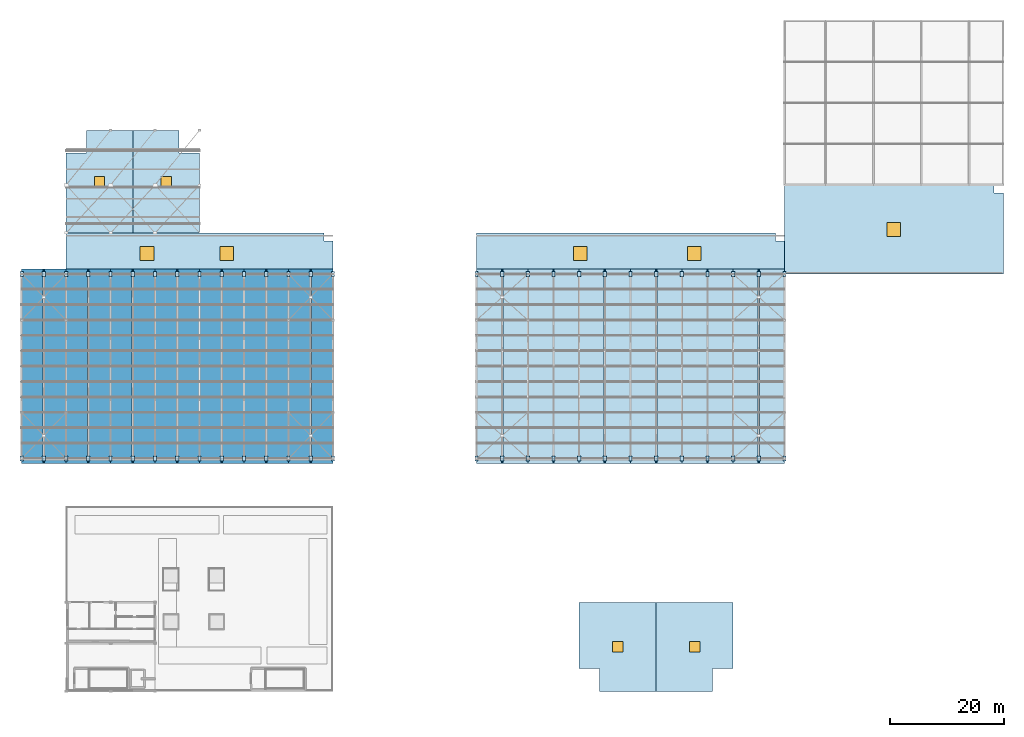
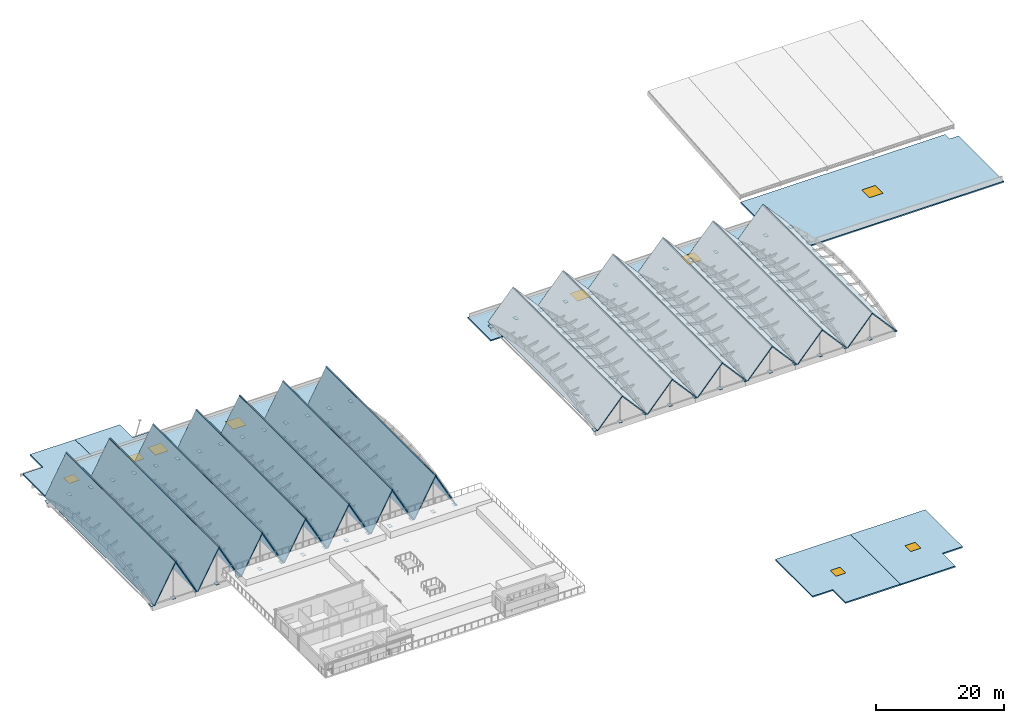
# One storey, part 29 of 39: 56 plates, 33 slabs, 9 windows, 9 openings.
"""IFC4 building model written with IfcOpenShell, lengths in metres."""

from ifc_helpers import new_model, si_unit, direction, frame, origin, origin_2d, place, context, subcontext, project, spatial, polyline, rectangle, outline, extrude, material, layer, layer_set, type_object, element, fill, save


model = new_model("IFC4")

# Units and contexts
model_context = context("Model", 3, precision=1e-05, world=origin(), true_north=direction((0.0, 1.0)))
body_context = subcontext(model_context, "Body", "Model", "MODEL_VIEW")
ifc_project = project(units=[si_unit("LENGTHUNIT", "METRE"), si_unit("AREAUNIT", "SQUARE_METRE"), si_unit("VOLUMEUNIT", "CUBIC_METRE"), si_unit("PLANEANGLEUNIT", "RADIAN"), si_unit("MASSUNIT", "GRAM", prefix="KILO")], contexts=[model_context])

# Site, building, storey
site_placement = place(None, origin())
site = spatial("IfcSite", under=ifc_project, at=site_placement, CompositionType="ELEMENT")
building_placement = place(site_placement, origin())
building = spatial("IfcBuilding", under=site, at=building_placement, Name="Tizgana Railside Sports Hall", CompositionType="ELEMENT")
storey_placement = place(building_placement, frame((0.0, 0.0, 23.699951171875)))
storey = spatial("IfcBuildingStorey", under=building, at=storey_placement, Name="RF", CompositionType="ELEMENT", Elevation=23.699951171875)

# Slab, openings, windows
ifc_material_1 = material(Name="Concrete C35/45", Category="concrete")
ifc_layer_1 = layer(ifc_material_1, 0.239990234375, Name="Concrete C35/45")
ifc_layer_set_1 = layer_set([ifc_layer_1], Name="Concrete C35/45")
slab_type_1 = type_object("IfcSlabType", Name="Flat Pavilion Roof Deck 240", PredefinedType="ROOF", material=ifc_layer_set_1)
slab_1_placement = place(storey_placement, frame((0.0, 0.0, -8.33984375)))
slab_1 = element("IfcSlab", 1, at=slab_1_placement, inside=storey, type_object=slab_type_1, Name="RF V1 North Support Flat Roof SLB-0042", PredefinedType="ROOF", context=body_context, shape_type="SweptSolid", body=[
    extrude(outline(polyline([(7.800048828125, 73.199951171875), (54.60009765625, 73.199951171875), (54.60009765625, 79.0), (53.0, 79.0), (53.0, 80.39990234375), (7.800048828125, 80.39990234375), (7.800048828125, 73.199951171875)]), holes=[polyline([(20.800048828125, 75.60009765625), (23.199951171875, 75.60009765625), (23.199951171875, 78.0), (20.800048828125, 78.0), (20.800048828125, 75.60009765625)]), polyline([(34.800048828125, 75.60009765625), (37.199951171875, 75.60009765625), (37.199951171875, 78.0), (34.800048828125, 78.0), (34.800048828125, 75.60009765625)])]), origin(), (0.0, 0.0, 1.0), 0.239990234375),
])
opening_1_placement = place(slab_1_placement, frame((22.0, 76.800048828125, 0.0)))
opening_1 = element("IfcOpeningElement", 2, at=opening_1_placement, cuts=slab_1, Name="Opening W-0104", PredefinedType="OPENING", context=body_context, shape_type="SweptSolid", body=[
    extrude(rectangle(XDim=2.39990234375, YDim=2.39990234375, at=origin_2d()), origin(), (0.0, 0.0, 1.0), 0.239990234375),
])
opening_2_placement = place(slab_1_placement, frame((36.0, 76.800048828125, 0.0)))
opening_2 = element("IfcOpeningElement", 3, at=opening_2_placement, cuts=slab_1, Name="Opening W-0105", PredefinedType="OPENING", context=body_context, shape_type="SweptSolid", body=[
    extrude(rectangle(XDim=2.39990234375, YDim=2.39990234375, at=origin_2d()), origin(), (0.0, 0.0, 1.0), 0.239990234375),
])
ifc_material_2 = material(Name="Double low-E laminated glass", Category="glass")
window_type_1 = type_object("IfcWindowType", Name="Automated Smoke Skylight 2400x2400", PartitioningType="SINGLE_PANEL", PredefinedType="SKYLIGHT", material=ifc_material_2)
window_1_placement = place(opening_1_placement, frame((0.0, 0.0, 0.18994140625)))
window_1 = element("IfcWindow", 4, at=window_1_placement, inside=storey, type_object=window_type_1, Name="RF Smoke Skylight W-0104", OverallHeight=2.39990234375, OverallWidth=2.39990234375, PartitioningType="SINGLE_PANEL", PredefinedType="SKYLIGHT", context=body_context, shape_type="SweptSolid", body=[
    extrude(rectangle(XDim=2.39990234375, YDim=2.39990234375, at=origin_2d()), origin(), (0.0, 0.0, 1.0), 0.050048828125),
])
fill(opening_1, window_1)
window_2_placement = place(opening_2_placement, frame((0.0, 0.0, 0.18994140625)))
window_2 = element("IfcWindow", 5, at=window_2_placement, inside=storey, type_object=window_type_1, Name="RF Smoke Skylight W-0105", OverallHeight=2.39990234375, OverallWidth=2.39990234375, PartitioningType="SINGLE_PANEL", PredefinedType="SKYLIGHT", context=body_context, shape_type="SweptSolid", body=[
    extrude(rectangle(XDim=2.39990234375, YDim=2.39990234375, at=origin_2d()), origin(), (0.0, 0.0, 1.0), 0.050048828125),
])
fill(opening_2, window_2)

slab_2_placement = place(storey_placement, frame((0.0, 0.0, -5.639892578125)))
slab_2 = element("IfcSlab", 6, at=slab_2_placement, inside=storey, type_object=slab_type_1, Name="RF V2 North Support Flat Roof SLB-0043", PredefinedType="ROOF", context=body_context, shape_type="SweptSolid", body=[
    extrude(outline(polyline([(79.800048828125, 73.199951171875), (133.800048828125, 73.199951171875), (133.800048828125, 79.0), (132.199951171875, 79.0), (132.199951171875, 80.39990234375), (79.800048828125, 80.39990234375), (79.800048828125, 73.199951171875)]), holes=[polyline([(96.800048828125, 75.60009765625), (99.199951171875, 75.60009765625), (99.199951171875, 78.0), (96.800048828125, 78.0), (96.800048828125, 75.60009765625)]), polyline([(116.800048828125, 75.60009765625), (119.199951171875, 75.60009765625), (119.199951171875, 78.0), (116.800048828125, 78.0), (116.800048828125, 75.60009765625)])]), origin(), (0.0, 0.0, 1.0), 0.239990234375),
])
opening_3_placement = place(slab_2_placement, frame((98.0, 76.800048828125, 0.0)))
opening_3 = element("IfcOpeningElement", 7, at=opening_3_placement, cuts=slab_2, Name="Opening W-0106", PredefinedType="OPENING", context=body_context, shape_type="SweptSolid", body=[
    extrude(rectangle(XDim=2.39990234375, YDim=2.39990234375, at=origin_2d()), origin(), (0.0, 0.0, 1.0), 0.239990234375),
])
opening_4_placement = place(slab_2_placement, frame((118.0, 76.800048828125, 0.0)))
opening_4 = element("IfcOpeningElement", 8, at=opening_4_placement, cuts=slab_2, Name="Opening W-0107", PredefinedType="OPENING", context=body_context, shape_type="SweptSolid", body=[
    extrude(rectangle(XDim=2.39990234375, YDim=2.39990234375, at=origin_2d()), origin(), (0.0, 0.0, 1.0), 0.239990234375),
])
window_3_placement = place(opening_3_placement, frame((0.0, 0.0, 0.18994140625)))
window_3 = element("IfcWindow", 9, at=window_3_placement, inside=storey, type_object=window_type_1, Name="RF Smoke Skylight W-0106", OverallHeight=2.39990234375, OverallWidth=2.39990234375, PartitioningType="SINGLE_PANEL", PredefinedType="SKYLIGHT", context=body_context, shape_type="SweptSolid", body=[
    extrude(rectangle(XDim=2.39990234375, YDim=2.39990234375, at=origin_2d()), origin(), (0.0, 0.0, 1.0), 0.050048828125),
])
fill(opening_3, window_3)
window_4_placement = place(opening_4_placement, frame((0.0, 0.0, 0.18994140625)))
window_4 = element("IfcWindow", 10, at=window_4_placement, inside=storey, type_object=window_type_1, Name="RF Smoke Skylight W-0107", OverallHeight=2.39990234375, OverallWidth=2.39990234375, PartitioningType="SINGLE_PANEL", PredefinedType="SKYLIGHT", context=body_context, shape_type="SweptSolid", body=[
    extrude(rectangle(XDim=2.39990234375, YDim=2.39990234375, at=origin_2d()), origin(), (0.0, 0.0, 1.0), 0.050048828125),
])
fill(opening_4, window_4)

# Slab, opening, window
slab_3_placement = place(storey_placement, frame((0.0, 0.0, -7.739990234375)))
slab_3 = element("IfcSlab", 11, at=slab_3_placement, inside=storey, type_object=slab_type_1, Name="RF V3 South Gallery Flat Roof SLB-0044", PredefinedType="ROOF", context=body_context, shape_type="SweptSolid", body=[
    extrude(outline(polyline([(133.800048828125, 73.199951171875), (172.199951171875, 73.199951171875), (172.199951171875, 87.39990234375), (170.60009765625, 87.39990234375), (170.60009765625, 88.800048828125), (133.800048828125, 88.800048828125), (133.800048828125, 73.199951171875)]), holes=[polyline([(151.800048828125, 79.800048828125), (154.199951171875, 79.800048828125), (154.199951171875, 82.199951171875), (151.800048828125, 82.199951171875), (151.800048828125, 79.800048828125)])]), origin(), (0.0, 0.0, 1.0), 0.239990234375),
])
opening_5_placement = place(slab_3_placement, frame((153.0, 81.0, 0.0)))
opening_5 = element("IfcOpeningElement", 12, at=opening_5_placement, cuts=slab_3, Name="Opening W-0108", PredefinedType="OPENING", context=body_context, shape_type="SweptSolid", body=[
    extrude(rectangle(XDim=2.39990234375, YDim=2.39990234375, at=origin_2d()), origin(), (0.0, 0.0, 1.0), 0.239990234375),
])
window_5_placement = place(opening_5_placement, frame((0.0, 0.0, 0.18994140625)))
window_5 = element("IfcWindow", 13, at=window_5_placement, inside=storey, type_object=window_type_1, Name="RF Smoke Skylight W-0108", OverallHeight=2.39990234375, OverallWidth=2.39990234375, PartitioningType="SINGLE_PANEL", PredefinedType="SKYLIGHT", context=body_context, shape_type="SweptSolid", body=[
    extrude(rectangle(XDim=2.39990234375, YDim=2.39990234375, at=origin_2d()), origin(), (0.0, 0.0, 1.0), 0.050048828125),
])
fill(opening_5, window_5)

slab_4_placement = place(storey_placement, frame((0.0, 0.0, -18.739990234375)))
slab_4 = element("IfcSlab", 14, at=slab_4_placement, inside=storey, type_object=slab_type_1, Name="RF NW Cycle Wing West Roof SLB-0108", PredefinedType="ROOF", context=body_context, shape_type="SweptSolid", body=[
    extrude(outline(polyline([(7.800048828125, 80.39990234375), (19.5, 80.39990234375), (19.5, 98.39990234375), (11.39990234375, 98.39990234375), (11.39990234375, 94.39990234375), (7.800048828125, 94.39990234375), (7.800048828125, 80.39990234375)]), holes=[polyline([(12.75, 88.5), (14.550048828125, 88.5), (14.550048828125, 90.300048828125), (12.75, 90.300048828125), (12.75, 88.5)])]), origin(), (0.0, 0.0, 1.0), 0.239990234375),
])
opening_6_placement = place(slab_4_placement, frame((13.64990234375, 89.39990234375, 0.0)))
opening_6 = element("IfcOpeningElement", 15, at=opening_6_placement, cuts=slab_4, Name="Opening W-0109", PredefinedType="OPENING", context=body_context, shape_type="SweptSolid", body=[
    extrude(rectangle(XDim=1.800048828125, YDim=1.800048828125, at=origin_2d()), origin(), (0.0, 0.0, 1.0), 0.239990234375),
])
window_type_2 = type_object("IfcWindowType", Name="Corridor Daylight Skylight 1800x1800", PartitioningType="SINGLE_PANEL", PredefinedType="SKYLIGHT", material=ifc_material_2)
window_6_placement = place(opening_6_placement, frame((0.0, 0.0, 0.18994140625)))
window_6 = element("IfcWindow", 16, at=window_6_placement, inside=storey, type_object=window_type_2, Name="RF Smoke Skylight W-0109", OverallHeight=1.800048828125, OverallWidth=1.800048828125, PartitioningType="SINGLE_PANEL", PredefinedType="SKYLIGHT", context=body_context, shape_type="SweptSolid", body=[
    extrude(rectangle(XDim=1.800048828125, YDim=1.800048828125, at=origin_2d()), origin(), (0.0, 0.0, 1.0), 0.050048828125),
])
fill(opening_6, window_6)

slab_5_placement = place(storey_placement, frame((0.0, 0.0, -18.739990234375)))
slab_5 = element("IfcSlab", 17, at=slab_5_placement, inside=storey, type_object=slab_type_1, Name="RF NW Cycle Wing East Roof SLB-0110", PredefinedType="ROOF", context=body_context, shape_type="SweptSolid", body=[
    extrude(outline(polyline([(19.5, 80.39990234375), (31.199951171875, 80.39990234375), (31.199951171875, 94.39990234375), (27.60009765625, 94.39990234375), (27.60009765625, 98.39990234375), (19.5, 98.39990234375), (19.5, 80.39990234375)]), holes=[polyline([(24.449951171875, 88.5), (26.25, 88.5), (26.25, 90.300048828125), (24.449951171875, 90.300048828125), (24.449951171875, 88.5)])]), origin(), (0.0, 0.0, 1.0), 0.239990234375),
])
opening_7_placement = place(slab_5_placement, frame((25.35009765625, 89.39990234375, 0.0)))
opening_7 = element("IfcOpeningElement", 18, at=opening_7_placement, cuts=slab_5, Name="Opening W-0110", PredefinedType="OPENING", context=body_context, shape_type="SweptSolid", body=[
    extrude(rectangle(XDim=1.800048828125, YDim=1.800048828125, at=origin_2d()), origin(), (0.0, 0.0, 1.0), 0.239990234375),
])
window_7_placement = place(opening_7_placement, frame((0.0, 0.0, 0.18994140625)))
window_7 = element("IfcWindow", 19, at=window_7_placement, inside=storey, type_object=window_type_2, Name="RF Smoke Skylight W-0110", OverallHeight=1.800048828125, OverallWidth=1.800048828125, PartitioningType="SINGLE_PANEL", PredefinedType="SKYLIGHT", context=body_context, shape_type="SweptSolid", body=[
    extrude(rectangle(XDim=1.800048828125, YDim=1.800048828125, at=origin_2d()), origin(), (0.0, 0.0, 1.0), 0.050048828125),
])
fill(opening_7, window_7)

slab_6_placement = place(storey_placement, frame((0.0, 0.0, -18.739990234375)))
slab_6 = element("IfcSlab", 20, at=slab_6_placement, inside=storey, type_object=slab_type_1, Name="RF SE Welcome Wing West Roof SLB-0112", PredefinedType="ROOF", context=body_context, shape_type="SweptSolid", body=[
    extrude(outline(polyline([(101.39990234375, 0.0), (111.300048828125, 0.0), (111.300048828125, 15.60009765625), (97.800048828125, 15.60009765625), (97.800048828125, 4.0), (101.39990234375, 4.0), (101.39990234375, 0.0)]), holes=[polyline([(103.64990234375, 6.89990234375), (105.449951171875, 6.89990234375), (105.449951171875, 8.699951171875), (103.64990234375, 8.699951171875), (103.64990234375, 6.89990234375)])]), origin(), (0.0, 0.0, 1.0), 0.239990234375),
])
opening_8_placement = place(slab_6_placement, frame((104.550048828125, 7.800048828125, 0.0)))
opening_8 = element("IfcOpeningElement", 21, at=opening_8_placement, cuts=slab_6, Name="Opening W-0111", PredefinedType="OPENING", context=body_context, shape_type="SweptSolid", body=[
    extrude(rectangle(XDim=1.800048828125, YDim=1.800048828125, at=origin_2d()), origin(), (0.0, 0.0, 1.0), 0.239990234375),
])
window_8_placement = place(opening_8_placement, frame((0.0, 0.0, 0.18994140625)))
window_8 = element("IfcWindow", 22, at=window_8_placement, inside=storey, type_object=window_type_2, Name="RF Smoke Skylight W-0111", OverallHeight=1.800048828125, OverallWidth=1.800048828125, PartitioningType="SINGLE_PANEL", PredefinedType="SKYLIGHT", context=body_context, shape_type="SweptSolid", body=[
    extrude(rectangle(XDim=1.800048828125, YDim=1.800048828125, at=origin_2d()), origin(), (0.0, 0.0, 1.0), 0.050048828125),
])
fill(opening_8, window_8)

slab_7_placement = place(storey_placement, frame((0.0, 0.0, -18.739990234375)))
slab_7 = element("IfcSlab", 23, at=slab_7_placement, inside=storey, type_object=slab_type_1, Name="RF SE Welcome Wing East Roof SLB-0114", PredefinedType="ROOF", context=body_context, shape_type="SweptSolid", body=[
    extrude(outline(polyline([(111.300048828125, 0.0), (121.199951171875, 0.0), (121.199951171875, 4.0), (124.800048828125, 4.0), (124.800048828125, 15.60009765625), (111.300048828125, 15.60009765625), (111.300048828125, 0.0)]), holes=[polyline([(117.14990234375, 6.89990234375), (118.949951171875, 6.89990234375), (118.949951171875, 8.699951171875), (117.14990234375, 8.699951171875), (117.14990234375, 6.89990234375)])]), origin(), (0.0, 0.0, 1.0), 0.239990234375),
])
opening_9_placement = place(slab_7_placement, frame((118.050048828125, 7.800048828125, 0.0)))
opening_9 = element("IfcOpeningElement", 24, at=opening_9_placement, cuts=slab_7, Name="Opening W-0112", PredefinedType="OPENING", context=body_context, shape_type="SweptSolid", body=[
    extrude(rectangle(XDim=1.800048828125, YDim=1.800048828125, at=origin_2d()), origin(), (0.0, 0.0, 1.0), 0.239990234375),
])
window_9_placement = place(opening_9_placement, frame((0.0, 0.0, 0.18994140625)))
window_9 = element("IfcWindow", 25, at=window_9_placement, inside=storey, type_object=window_type_2, Name="RF Smoke Skylight W-0112", OverallHeight=1.800048828125, OverallWidth=1.800048828125, PartitioningType="SINGLE_PANEL", PredefinedType="SKYLIGHT", context=body_context, shape_type="SweptSolid", body=[
    extrude(rectangle(XDim=1.800048828125, YDim=1.800048828125, at=origin_2d()), origin(), (0.0, 0.0, 1.0), 0.050048828125),
])
fill(opening_9, window_9)

# Plates
ifc_material_3 = material(Name="Steel S355J2", Category="steel")
ifc_layer_2 = layer(ifc_material_3, 0.0400390625, Name="Steel S355J2")
ifc_layer_set_2 = layer_set([ifc_layer_2], Name="Steel S355J2")
plate_type = type_object("IfcPlateType", Name="Glulam Arch Thrust Shoe Plate 880x580x40", PredefinedType="USERDEFINED", material=ifc_layer_set_2)
for number, where, z_axis, x_axis, name in (
    (26, (0.0, 40.800048828125, -8.219970703125), (0.0, 0.0, 1.0), (1.0, 0.0, 0.0), "RF V1 PLT-0036"),
    (27, (0.0, 73.199951171875, -8.219970703125), (0.0, 0.0, 1.0), (1.0, 0.0, 0.0), "RF V1 PLT-0037"),
    (28, (3.89990234375, 40.800048828125, -8.219970703125), (0.0, 0.0, 1.0), (1.0, 0.0, 0.0), "RF V1 PLT-0038"),
    (29, (3.89990234375, 73.199951171875, -8.219970703125), (0.0, 0.0, 1.0), (1.0, 0.0, 0.0), "RF V1 PLT-0039"),
    (30, (7.800048828125, 40.800048828125, -8.219970703125), (0.0, 0.0, 1.0), (1.0, 0.0, 0.0), "RF V1 PLT-0040"),
    (31, (7.800048828125, 73.199951171875, -8.219970703125), (0.0, 0.0, 1.0), (1.0, 0.0, 0.0), "RF V1 PLT-0041"),
    (32, (11.699951171875, 40.800048828125, -8.219970703125), (0.0, 0.0, 1.0), (1.0, 0.0, 0.0), "RF V1 PLT-0042"),
    (33, (11.699951171875, 73.199951171875, -8.219970703125), (0.0, 0.0, 1.0), (1.0, 0.0, 0.0), "RF V1 PLT-0043"),
    (34, (15.60009765625, 40.800048828125, -8.219970703125), (0.0, 0.0, 1.0), (1.0, 0.0, 0.0), "RF V1 PLT-0044"),
    (35, (15.60009765625, 73.199951171875, -8.219970703125), (0.0, 0.0, 1.0), (1.0, 0.0, 0.0), "RF V1 PLT-0045"),
    (36, (19.5, 40.800048828125, -8.219970703125), (0.0, 0.0, 1.0), (1.0, 0.0, 0.0), "RF V1 PLT-0046"),
    (37, (19.5, 73.199951171875, -8.219970703125), (0.0, 0.0, 1.0), (1.0, 0.0, 0.0), "RF V1 PLT-0047"),
    (38, (23.39990234375, 40.800048828125, -8.219970703125), (0.0, 0.0, 1.0), (1.0, 0.0, 0.0), "RF V1 PLT-0048"),
    (39, (23.39990234375, 73.199951171875, -8.219970703125), (0.0, 0.0, 1.0), (1.0, 0.0, 0.0), "RF V1 PLT-0049"),
    (40, (27.300048828125, 40.800048828125, -8.219970703125), (0.0, 0.0, 1.0), (1.0, 0.0, 0.0), "RF V1 PLT-0050"),
    (41, (27.300048828125, 73.199951171875, -8.219970703125), (0.0, 0.0, 1.0), (1.0, 0.0, 0.0), "RF V1 PLT-0051"),
    (42, (31.199951171875, 40.800048828125, -8.219970703125), (0.0, 0.0, 1.0), (1.0, 0.0, 0.0), "RF V1 PLT-0052"),
    (43, (31.199951171875, 73.199951171875, -8.219970703125), (0.0, 0.0, 1.0), (1.0, 0.0, 0.0), "RF V1 PLT-0053"),
    (44, (35.10009765625, 40.800048828125, -8.219970703125), (0.0, 0.0, 1.0), (1.0, 0.0, 0.0), "RF V1 PLT-0054"),
    (45, (35.10009765625, 73.199951171875, -8.219970703125), (0.0, 0.0, 1.0), (1.0, 0.0, 0.0), "RF V1 PLT-0055"),
    (46, (39.0, 40.800048828125, -8.219970703125), (0.0, 0.0, 1.0), (1.0, 0.0, 0.0), "RF V1 PLT-0056"),
    (47, (39.0, 73.199951171875, -8.219970703125), (0.0, 0.0, 1.0), (1.0, 0.0, 0.0), "RF V1 PLT-0057"),
    (48, (42.89990234375, 40.800048828125, -8.219970703125), (0.0, 0.0, 1.0), (1.0, 0.0, 0.0), "RF V1 PLT-0058"),
    (49, (42.89990234375, 73.199951171875, -8.219970703125), (0.0, 0.0, 1.0), (1.0, 0.0, 0.0), "RF V1 PLT-0059"),
    (50, (46.800048828125, 40.800048828125, -8.219970703125), (0.0, 0.0, 1.0), (1.0, 0.0, 0.0), "RF V1 PLT-0060"),
    (51, (46.800048828125, 73.199951171875, -8.219970703125), (0.0, 0.0, 1.0), (1.0, 0.0, 0.0), "RF V1 PLT-0061"),
    (52, (50.699951171875, 40.800048828125, -8.219970703125), (0.0, 0.0, 1.0), (1.0, 0.0, 0.0), "RF V1 PLT-0062"),
    (53, (50.699951171875, 73.199951171875, -8.219970703125), (0.0, 0.0, 1.0), (1.0, 0.0, 0.0), "RF V1 PLT-0063"),
    (54, (54.60009765625, 40.800048828125, -8.219970703125), (0.0, 0.0, 1.0), (1.0, 0.0, 0.0), "RF V1 PLT-0064"),
    (55, (54.60009765625, 73.199951171875, -8.219970703125), (0.0, 0.0, 1.0), (1.0, 0.0, 0.0), "RF V1 PLT-0065"),
    (56, (79.800048828125, 40.800048828125, -2.820068359375), (0.0, 0.0, 1.0), (1.0, 0.0, 0.0), "RF V2 PLT-0086"),
    (57, (79.800048828125, 73.199951171875, -2.820068359375), (0.0, 0.0, 1.0), (1.0, 0.0, 0.0), "RF V2 PLT-0087"),
    (58, (84.300048828125, 40.800048828125, -2.820068359375), (0.0, 0.0, 1.0), (1.0, 0.0, 0.0), "RF V2 PLT-0088"),
    (59, (84.300048828125, 73.199951171875, -2.820068359375), (0.0, 0.0, 1.0), (1.0, 0.0, 0.0), "RF V2 PLT-0089"),
    (60, (88.800048828125, 40.800048828125, -2.820068359375), (0.0, 0.0, 1.0), (1.0, 0.0, 0.0), "RF V2 PLT-0090"),
    (61, (88.800048828125, 73.199951171875, -2.820068359375), (0.0, 0.0, 1.0), (1.0, 0.0, 0.0), "RF V2 PLT-0091"),
    (62, (93.300048828125, 40.800048828125, -2.820068359375), (0.0, 0.0, 1.0), (1.0, 0.0, 0.0), "RF V2 PLT-0092"),
    (63, (93.300048828125, 73.199951171875, -2.820068359375), (0.0, 0.0, 1.0), (1.0, 0.0, 0.0), "RF V2 PLT-0093"),
    (64, (97.800048828125, 40.800048828125, -2.820068359375), (0.0, 0.0, 1.0), (1.0, 0.0, 0.0), "RF V2 PLT-0094"),
    (65, (97.800048828125, 73.199951171875, -2.820068359375), (0.0, 0.0, 1.0), (1.0, 0.0, 0.0), "RF V2 PLT-0095"),
    (66, (102.300048828125, 40.800048828125, -2.820068359375), (0.0, 0.0, 1.0), (1.0, 0.0, 0.0), "RF V2 PLT-0096"),
    (67, (102.300048828125, 73.199951171875, -2.820068359375), (0.0, 0.0, 1.0), (1.0, 0.0, 0.0), "RF V2 PLT-0097"),
    (68, (106.800048828125, 40.800048828125, -2.820068359375), (0.0, 0.0, 1.0), (1.0, 0.0, 0.0), "RF V2 PLT-0098"),
    (69, (106.800048828125, 73.199951171875, -2.820068359375), (0.0, 0.0, 1.0), (1.0, 0.0, 0.0), "RF V2 PLT-0099"),
    (70, (111.300048828125, 40.800048828125, -2.820068359375), (0.0, 0.0, 1.0), (1.0, 0.0, 0.0), "RF V2 PLT-0100"),
    (71, (111.300048828125, 73.199951171875, -2.820068359375), (0.0, 0.0, 1.0), (1.0, 0.0, 0.0), "RF V2 PLT-0101"),
    (72, (115.800048828125, 40.800048828125, -2.820068359375), (0.0, 0.0, 1.0), (1.0, 0.0, 0.0), "RF V2 PLT-0102"),
    (73, (115.800048828125, 73.199951171875, -2.820068359375), (0.0, 0.0, 1.0), (1.0, 0.0, 0.0), "RF V2 PLT-0103"),
    (74, (120.300048828125, 40.800048828125, -2.820068359375), (0.0, 0.0, 1.0), (1.0, 0.0, 0.0), "RF V2 PLT-0104"),
    (75, (120.300048828125, 73.199951171875, -2.820068359375), (0.0, 0.0, 1.0), (1.0, 0.0, 0.0), "RF V2 PLT-0105"),
    (76, (124.800048828125, 40.800048828125, -2.820068359375), (0.0, 0.0, 1.0), (1.0, 0.0, 0.0), "RF V2 PLT-0106"),
    (77, (124.800048828125, 73.199951171875, -2.820068359375), (0.0, 0.0, 1.0), (1.0, 0.0, 0.0), "RF V2 PLT-0107"),
    (78, (129.300048828125, 40.800048828125, -2.820068359375), (0.0, 0.0, 1.0), (1.0, 0.0, 0.0), "RF V2 PLT-0108"),
    (79, (129.300048828125, 73.199951171875, -2.820068359375), (0.0, 0.0, 1.0), (1.0, 0.0, 0.0), "RF V2 PLT-0109"),
    (80, (133.800048828125, 40.800048828125, -2.820068359375), (0.0, 0.0, 1.0), (1.0, 0.0, 0.0), "RF V2 PLT-0110"),
    (81, (133.800048828125, 73.199951171875, -2.820068359375), (0.0, 0.0, 1.0), (1.0, 0.0, 0.0), "RF V2 PLT-0111"),
):
    element("IfcPlate", number, at=place(storey_placement, frame(where, z_axis=z_axis, x_axis=x_axis)), inside=storey, type_object=plate_type, Name=name, ObjectType="GUSSET_PLATE", PredefinedType="USERDEFINED", context=body_context, shape_type="SweptSolid", body=[
        extrude(rectangle(XDim=0.580078125, YDim=0.8798828125, at=origin_2d()), origin(), (0.0, 0.0, 1.0), 0.0400390625),
    ])

# Slabs
ifc_material_4 = material(Name="Cross-laminated timber CL24h", Category="wood")
ifc_layer_3 = layer(ifc_material_4, 0.159912109375, Name="Cross-laminated timber CL24h")
ifc_layer_set_3 = layer_set([ifc_layer_3], Name="Cross-laminated timber CL24h")
slab_type_2 = type_object("IfcSlabType", Name="Pitched CLT Vault Roof Panel 160", PredefinedType="ROOF", material=ifc_layer_set_3)
slab_8_placement = place(storey_placement, frame((0.0, 39.949951171875, -7.8798828125), z_axis=(-0.879295608432, 0.0, 0.47627642498), x_axis=(0.47627642498, 0.0, 0.879295608432)))
element("IfcSlab", 82, at=slab_8_placement, inside=storey, type_object=slab_type_2, Name="RF V1 Gable Bay 1W", PredefinedType="ROOF", context=body_context, shape_type="SweptSolid", body=[
    extrude(outline(polyline([(0.0, 0.0), (8.188316992408815, 0.0), (8.188316992408815, 34.10009765625001), (0.0, 34.10009765625001), (0.0, 0.0)])), origin(), (0.0, 0.0, -1.0), 0.159912109375),
])
slab_9_placement = place(storey_placement, frame((3.89990234375, 39.949951171875, -0.679931640625), z_axis=(0.879283121845, 0.0, 0.47629947684), x_axis=(0.47629947684, 0.0, -0.879283121845)))
element("IfcSlab", 83, at=slab_9_placement, inside=storey, type_object=slab_type_2, Name="RF V1 Gable Bay 1E", PredefinedType="ROOF", context=body_context, shape_type="SweptSolid", body=[
    extrude(outline(polyline([(0.0, 0.0), (8.18843327364685, 0.0), (8.18843327364685, 34.10009765625), (0.0, 34.10009765625), (0.0, 0.0)])), origin(), (0.0, 0.0, -1.0), 0.159912109375),
])
slab_10_placement = place(storey_placement, frame((7.800048828125, 39.949951171875, -7.8798828125), z_axis=(-0.879295608432, 0.0, 0.47627642498), x_axis=(0.47627642498, 0.0, 0.879295608432)))
element("IfcSlab", 84, at=slab_10_placement, inside=storey, type_object=slab_type_2, Name="RF V1 Gable Bay 2W", PredefinedType="ROOF", context=body_context, shape_type="SweptSolid", body=[
    extrude(outline(polyline([(0.0, 0.0), (8.188316992408815, 0.0), (8.188316992408815, 34.10009765625001), (0.0, 34.10009765625001), (0.0, 0.0)])), origin(), (0.0, 0.0, -1.0), 0.159912109375),
])
slab_11_placement = place(storey_placement, frame((11.699951171875, 39.949951171875, -0.679931640625), z_axis=(0.879283121845, 0.0, 0.47629947684), x_axis=(0.47629947684, 0.0, -0.879283121845)))
element("IfcSlab", 85, at=slab_11_placement, inside=storey, type_object=slab_type_2, Name="RF V1 Gable Bay 2E", PredefinedType="ROOF", context=body_context, shape_type="SweptSolid", body=[
    extrude(outline(polyline([(0.0, 0.0), (8.18843327364685, 0.0), (8.18843327364685, 34.10009765625), (0.0, 34.10009765625), (0.0, 0.0)])), origin(), (0.0, 0.0, -1.0), 0.159912109375),
])
for number, where, z_axis, x_axis, name in (
    (86, (15.60009765625, 39.949951171875, -7.8798828125), (-0.879295608432, 0.0, 0.47627642498), (0.47627642498, 0.0, 0.879295608432), "RF V1 Gable Bay 3W"),
    (87, (19.5, 39.949951171875, -0.679931640625), (0.879295608432, 0.0, 0.47627642498), (0.47627642498, 0.0, -0.879295608432), "RF V1 Gable Bay 3E"),
):
    element("IfcSlab", number, at=place(storey_placement, frame(where, z_axis=z_axis, x_axis=x_axis)), inside=storey, type_object=slab_type_2, Name=name, PredefinedType="ROOF", context=body_context, shape_type="SweptSolid", body=[
        extrude(outline(polyline([(0.0, 0.0), (8.188316992408815, 0.0), (8.188316992408815, 34.10009765625001), (0.0, 34.10009765625001), (0.0, 0.0)])), origin(), (0.0, 0.0, -1.0), 0.159912109375),
    ])
slab_12_placement = place(storey_placement, frame((23.39990234375, 39.949951171875, -7.8798828125), z_axis=(-0.879283121845, 0.0, 0.47629947684), x_axis=(0.47629947684, 0.0, 0.879283121845)))
element("IfcSlab", 88, at=slab_12_placement, inside=storey, type_object=slab_type_2, Name="RF V1 Gable Bay 4W", PredefinedType="ROOF", context=body_context, shape_type="SweptSolid", body=[
    extrude(outline(polyline([(0.0, 0.0), (8.18843327364685, 0.0), (8.18843327364685, 34.10009765625), (0.0, 34.10009765625), (0.0, 0.0)])), origin(), (0.0, 0.0, -1.0), 0.159912109375),
])
slab_13_placement = place(storey_placement, frame((27.300048828125, 39.949951171875, -0.679931640625), z_axis=(0.879295608432, 0.0, 0.47627642498), x_axis=(0.47627642498, 0.0, -0.879295608432)))
element("IfcSlab", 89, at=slab_13_placement, inside=storey, type_object=slab_type_2, Name="RF V1 Gable Bay 4E", PredefinedType="ROOF", context=body_context, shape_type="SweptSolid", body=[
    extrude(outline(polyline([(0.0, 0.0), (8.188316992408815, 0.0), (8.188316992408815, 34.10009765625001), (0.0, 34.10009765625001), (0.0, 0.0)])), origin(), (0.0, 0.0, -1.0), 0.159912109375),
])
slab_14_placement = place(storey_placement, frame((31.199951171875, 39.949951171875, -7.8798828125), z_axis=(-0.879283121845, 0.0, 0.47629947684), x_axis=(0.47629947684, 0.0, 0.879283121845)))
element("IfcSlab", 90, at=slab_14_placement, inside=storey, type_object=slab_type_2, Name="RF V1 Gable Bay 5W", PredefinedType="ROOF", context=body_context, shape_type="SweptSolid", body=[
    extrude(outline(polyline([(0.0, 0.0), (8.18843327364685, 0.0), (8.18843327364685, 34.10009765625), (0.0, 34.10009765625), (0.0, 0.0)])), origin(), (0.0, 0.0, -1.0), 0.159912109375),
])
for number, where, z_axis, x_axis, name in (
    (91, (35.10009765625, 39.949951171875, -0.679931640625), (0.879295608432, 0.0, 0.47627642498), (0.47627642498, 0.0, -0.879295608432), "RF V1 Gable Bay 5E"),
    (92, (39.0, 39.949951171875, -7.8798828125), (-0.879295608432, 0.0, 0.47627642498), (0.47627642498, 0.0, 0.879295608432), "RF V1 Gable Bay 6W"),
):
    element("IfcSlab", number, at=place(storey_placement, frame(where, z_axis=z_axis, x_axis=x_axis)), inside=storey, type_object=slab_type_2, Name=name, PredefinedType="ROOF", context=body_context, shape_type="SweptSolid", body=[
        extrude(outline(polyline([(0.0, 0.0), (8.188316992408815, 0.0), (8.188316992408815, 34.10009765625001), (0.0, 34.10009765625001), (0.0, 0.0)])), origin(), (0.0, 0.0, -1.0), 0.159912109375),
    ])
slab_15_placement = place(storey_placement, frame((42.89990234375, 39.949951171875, -0.679931640625), z_axis=(0.879283121845, 0.0, 0.47629947684), x_axis=(0.47629947684, 0.0, -0.879283121845)))
element("IfcSlab", 93, at=slab_15_placement, inside=storey, type_object=slab_type_2, Name="RF V1 Gable Bay 6E", PredefinedType="ROOF", context=body_context, shape_type="SweptSolid", body=[
    extrude(outline(polyline([(0.0, 0.0), (8.18843327364685, 0.0), (8.18843327364685, 34.10009765625), (0.0, 34.10009765625), (0.0, 0.0)])), origin(), (0.0, 0.0, -1.0), 0.159912109375),
])
slab_16_placement = place(storey_placement, frame((46.800048828125, 39.949951171875, -7.8798828125), z_axis=(-0.879295608432, 0.0, 0.47627642498), x_axis=(0.47627642498, 0.0, 0.879295608432)))
element("IfcSlab", 94, at=slab_16_placement, inside=storey, type_object=slab_type_2, Name="RF V1 Gable Bay 7W", PredefinedType="ROOF", context=body_context, shape_type="SweptSolid", body=[
    extrude(outline(polyline([(0.0, 0.0), (8.188316992408815, 0.0), (8.188316992408815, 34.10009765625001), (0.0, 34.10009765625001), (0.0, 0.0)])), origin(), (0.0, 0.0, -1.0), 0.159912109375),
])
slab_17_placement = place(storey_placement, frame((50.699951171875, 39.949951171875, -0.679931640625), z_axis=(0.879283121845, 0.0, 0.47629947684), x_axis=(0.47629947684, 0.0, -0.879283121845)))
element("IfcSlab", 95, at=slab_17_placement, inside=storey, type_object=slab_type_2, Name="RF V1 Gable Bay 7E", PredefinedType="ROOF", context=body_context, shape_type="SweptSolid", body=[
    extrude(outline(polyline([(0.0, 0.0), (8.18843327364685, 0.0), (8.18843327364685, 34.10009765625), (0.0, 34.10009765625), (0.0, 0.0)])), origin(), (0.0, 0.0, -1.0), 0.159912109375),
])
for number, where, z_axis, x_axis, name in (
    (96, (79.800048828125, 39.949951171875, -2.47998046875), (-0.749844140428, 0.0, 0.661614513948), (0.661614513948, 0.0, 0.749844140428), "RF V2 Gable Bay 1W"),
    (97, (84.300048828125, 39.949951171875, 2.6201171875), (0.749844140428, 0.0, 0.661614513948), (0.661614513948, 0.0, -0.749844140428), "RF V2 Gable Bay 1E"),
    (98, (88.800048828125, 39.949951171875, -2.47998046875), (-0.749844140428, 0.0, 0.661614513948), (0.661614513948, 0.0, 0.749844140428), "RF V2 Gable Bay 2W"),
    (99, (93.300048828125, 39.949951171875, 2.6201171875), (0.749844140428, 0.0, 0.661614513948), (0.661614513948, 0.0, -0.749844140428), "RF V2 Gable Bay 2E"),
    (100, (97.800048828125, 39.949951171875, -2.47998046875), (-0.749844140428, 0.0, 0.661614513948), (0.661614513948, 0.0, 0.749844140428), "RF V2 Gable Bay 3W"),
    (101, (102.300048828125, 39.949951171875, 2.6201171875), (0.749844140428, 0.0, 0.661614513948), (0.661614513948, 0.0, -0.749844140428), "RF V2 Gable Bay 3E"),
    (102, (106.800048828125, 39.949951171875, -2.47998046875), (-0.749844140428, 0.0, 0.661614513948), (0.661614513948, 0.0, 0.749844140428), "RF V2 Gable Bay 4W"),
    (103, (111.300048828125, 39.949951171875, 2.6201171875), (0.749844140428, 0.0, 0.661614513948), (0.661614513948, 0.0, -0.749844140428), "RF V2 Gable Bay 4E"),
    (104, (115.800048828125, 39.949951171875, -2.47998046875), (-0.749844140428, 0.0, 0.661614513948), (0.661614513948, 0.0, 0.749844140428), "RF V2 Gable Bay 5W"),
    (105, (120.300048828125, 39.949951171875, 2.6201171875), (0.749844140428, 0.0, 0.661614513948), (0.661614513948, 0.0, -0.749844140428), "RF V2 Gable Bay 5E"),
    (106, (124.800048828125, 39.949951171875, -2.47998046875), (-0.749844140428, 0.0, 0.661614513948), (0.661614513948, 0.0, 0.749844140428), "RF V2 Gable Bay 6W"),
    (107, (129.300048828125, 39.949951171875, 2.6201171875), (0.749844140428, 0.0, 0.661614513948), (0.661614513948, 0.0, -0.749844140428), "RF V2 Gable Bay 6E"),
):
    element("IfcSlab", number, at=place(storey_placement, frame(where, z_axis=z_axis, x_axis=x_axis)), inside=storey, type_object=slab_type_2, Name=name, PredefinedType="ROOF", context=body_context, shape_type="SweptSolid", body=[
        extrude(outline(polyline([(0.0, 0.0), (6.801543655912733, 0.0), (6.801543655912733, 34.10009765625), (0.0, 34.10009765625), (0.0, 0.0)])), origin(), (0.0, 0.0, -1.0), 0.159912109375),
    ])

save(model, "model.ifc")
